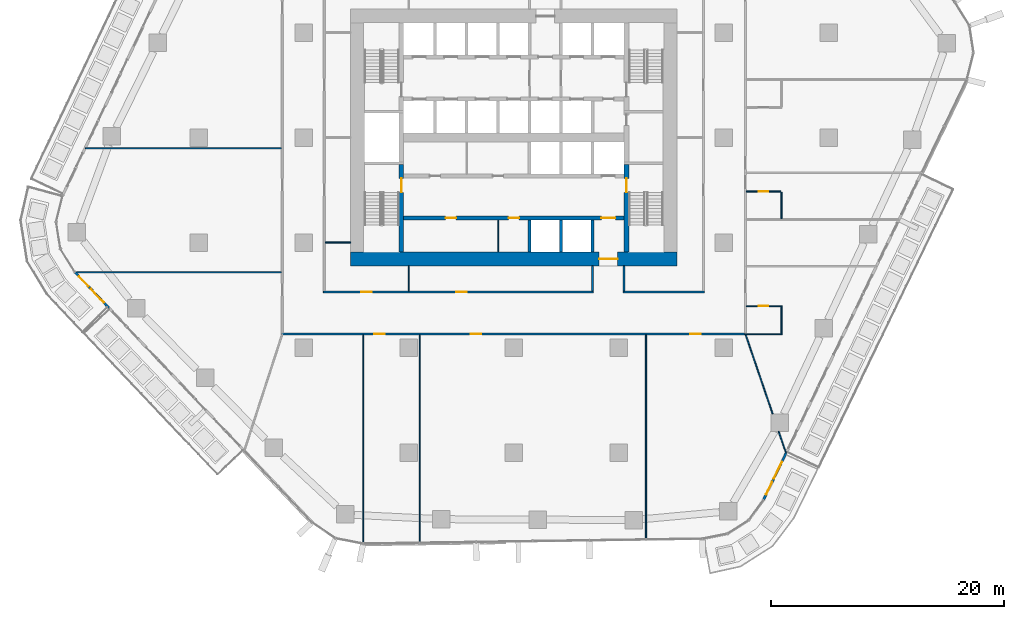
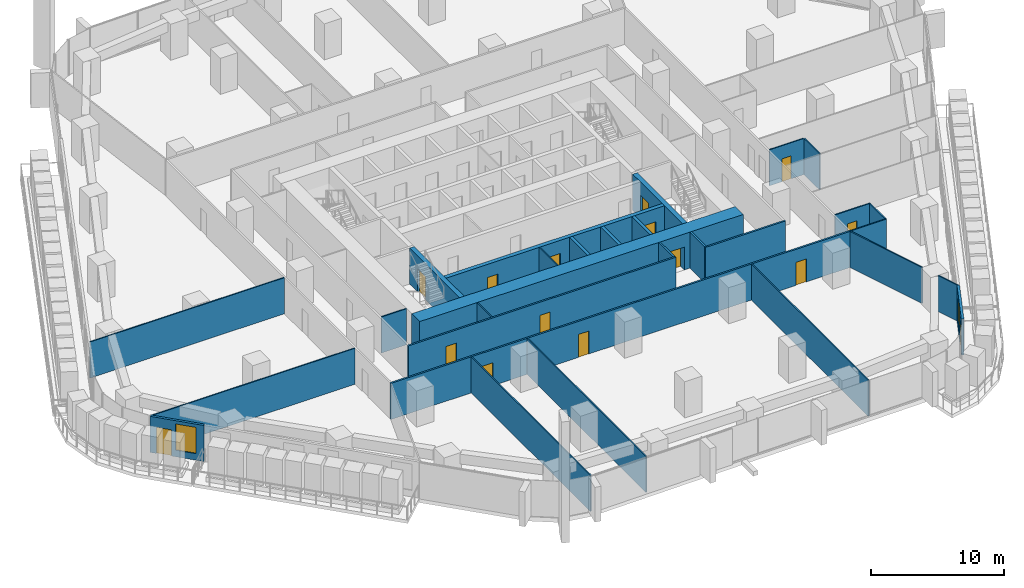
# One storey, part 12 of 24: 29 walls, 15 doors, 2 windows, 17 openings.
"""IFC4 building model written with IfcOpenShell, lengths in metres."""

from ifc_helpers import new_model, si_unit, direction, frame, frame_2d, origin, place, context, subcontext, project, spatial, rectangle, extrude, material, layer, layer_set, type_object, element, fill, save


model = new_model("IFC4")

# Units and contexts
model_context = context("Model", 3, precision=1e-05, world=origin(), true_north=direction((0.0, 1.0)))
body_context = subcontext(model_context, "Body", "Model", "MODEL_VIEW")
ifc_project = project(units=[si_unit("LENGTHUNIT", "METRE"), si_unit("AREAUNIT", "SQUARE_METRE"), si_unit("VOLUMEUNIT", "CUBIC_METRE"), si_unit("PLANEANGLEUNIT", "RADIAN"), si_unit("MASSUNIT", "GRAM", prefix="KILO")], contexts=[model_context])

# Site, building, storey
site_placement = place(None, origin())
site = spatial("IfcSite", under=ifc_project, at=site_placement, CompositionType="ELEMENT")
building_placement = place(site_placement, origin())
building = spatial("IfcBuilding", under=site, at=building_placement, Name="Dongbaek Canopy Tower", CompositionType="ELEMENT")
storey_placement = place(building_placement, frame((0.0, 0.0, 44.0)))
storey = spatial("IfcBuildingStorey", under=building, at=storey_placement, Name="L06", CompositionType="ELEMENT", Elevation=44.0)

# Wall, openings, doors
ifc_material_1 = material(Name="Concrete C60/75", Category="concrete")
ifc_layer_1 = layer(ifc_material_1, 0.35009765625)
ifc_layer_set_1 = layer_set([ifc_layer_1], Name="Core lobby wall 350 Concrete C60/75")
wall_type_1 = type_object("IfcWallType", Name="Core lobby wall 350 Concrete C60/75", PredefinedType="SHEAR", material=ifc_layer_set_1)
wall_1_placement = place(storey_placement, frame((9.449951171875, -6.89990234375, 0.0), z_axis=(0.0, 0.0, 1.0), x_axis=(-1.0, 0.0, 0.0)))
wall_1 = element("IfcWall", 1, at=wall_1_placement, inside=storey, type_object=wall_type_1, Name="Core wall", PredefinedType="SHEAR", context=body_context, shape_type="SweptSolid", body=[
    extrude(rectangle(XDim=18.89990234375, YDim=0.35009765625, at=frame_2d((9.449951171875, 0.0))), origin(), (0.0, 0.0, 1.0), 3.300048828125),
])
opening_1_placement = place(wall_1_placement, frame((0.75, 0.0, 0.0)))
opening_1 = element("IfcOpeningElement", 2, at=opening_1_placement, cuts=wall_1, Name="Opening L06-D045", PredefinedType="OPENING", context=body_context, shape_type="SweptSolid", body=[
    extrude(rectangle(XDim=1.199951171875, YDim=2.10009765625, at=frame_2d((0.60009765625, 1.050048828125))), frame((0.0, 0.18505859375, 0.0), z_axis=(0.0, -1.0, 0.0), x_axis=(1.0, 0.0, 0.0)), (0.0, 0.0, 1.0), 0.3701171875),
])
opening_2_placement = place(wall_1_placement, frame((14.39990234375, 0.0, 0.0)))
opening_2 = element("IfcOpeningElement", 3, at=opening_2_placement, cuts=wall_1, Name="Opening L06-D048", PredefinedType="OPENING", context=body_context, shape_type="SweptSolid", body=[
    extrude(rectangle(XDim=0.89990234375, YDim=2.10009765625, at=frame_2d((0.449951171875, 1.050048828125))), frame((0.0, 0.18505859375, 0.0), z_axis=(0.0, -1.0, 0.0), x_axis=(1.0, 0.0, 0.0)), (0.0, 0.0, 1.0), 0.3701171875),
])
opening_3_placement = place(wall_1_placement, frame((9.0, 0.0, 0.0)))
opening_3 = element("IfcOpeningElement", 4, at=opening_3_placement, cuts=wall_1, Name="Opening L06-D049", PredefinedType="OPENING", context=body_context, shape_type="SweptSolid", body=[
    extrude(rectangle(XDim=0.89990234375, YDim=2.10009765625, at=frame_2d((0.449951171875, 1.050048828125))), frame((0.0, 0.18505859375, 0.0), z_axis=(0.0, -1.0, 0.0), x_axis=(1.0, 0.0, 0.0)), (0.0, 0.0, 1.0), 0.3701171875),
])
ifc_material_2 = material(Name="Steel", Category="steel")
door_type_1 = type_object("IfcDoorType", Name="Core room door 900 x 2100", OperationType="SINGLE_SWING_LEFT", PredefinedType="DOOR", material=ifc_material_2)
door_1_placement = place(opening_2_placement, origin())
door_1 = element("IfcDoor", 5, at=door_1_placement, inside=storey, type_object=door_type_1, Name="Door L06-D048", OperationType="SINGLE_SWING_RIGHT", OverallHeight=2.10009765625, OverallWidth=0.89990234375, PredefinedType="DOOR", context=body_context, shape_type="SweptSolid", body=[
    extrude(rectangle(XDim=0.89990234375, YDim=2.10009765625, at=frame_2d((0.449951171875, 1.050048828125))), frame((0.0, 0.02490234375, 0.0), z_axis=(0.0, -1.0, 0.0), x_axis=(1.0, 0.0, 0.0)), (0.0, 0.0, 1.0), 0.050048828125),
])
fill(opening_2, door_1)
door_2_placement = place(opening_3_placement, origin())
door_2 = element("IfcDoor", 6, at=door_2_placement, inside=storey, type_object=door_type_1, Name="Door L06-D049", OperationType="SINGLE_SWING_LEFT", OverallHeight=2.10009765625, OverallWidth=0.89990234375, PredefinedType="DOOR", context=body_context, shape_type="SweptSolid", body=[
    extrude(rectangle(XDim=0.89990234375, YDim=2.10009765625, at=frame_2d((0.449951171875, 1.050048828125))), frame((0.0, 0.02490234375, 0.0), z_axis=(0.0, -1.0, 0.0), x_axis=(1.0, 0.0, 0.0)), (0.0, 0.0, 1.0), 0.050048828125),
])
fill(opening_3, door_2)
ifc_material_3 = material(Name="Steel", Category="steel")
door_type_2 = type_object("IfcDoorType", Name="Fire lobby door 1200 x 2100", OperationType="SINGLE_SWING_LEFT", PredefinedType="DOOR", material=ifc_material_3)
door_3_placement = place(opening_1_placement, origin())
door_3 = element("IfcDoor", 7, at=door_3_placement, inside=storey, type_object=door_type_2, Name="Door L06-D045", OperationType="SINGLE_SWING_LEFT", OverallHeight=2.10009765625, OverallWidth=1.199951171875, PredefinedType="DOOR", context=body_context, shape_type="SweptSolid", body=[
    extrude(rectangle(XDim=1.199951171875, YDim=2.10009765625, at=frame_2d((0.60009765625, 1.050048828125))), frame((0.0, 0.02490234375, 0.0), z_axis=(0.0, -1.0, 0.0), x_axis=(1.0, 0.0, 0.0)), (0.0, 0.0, 1.0), 0.050048828125),
])
fill(opening_1, door_3)

# Wall, opening, door
ifc_material_4 = material(Name="Concrete C60/75", Category="concrete")
ifc_layer_2 = layer(ifc_material_4, 1.199951171875)
ifc_layer_set_2 = layer_set([ifc_layer_2], Name="Core outer wall 1200 Concrete C60/75")
wall_type_2 = type_object("IfcWallType", Name="Core outer wall 1200 Concrete C60/75", PredefinedType="SHEAR", material=ifc_layer_set_2)
wall_2_placement = place(storey_placement, frame((14.0, -10.39990234375, 0.0), z_axis=(0.0, 0.0, 1.0), x_axis=(-1.0, 0.0, 0.0)))
wall_2 = element("IfcWall", 8, at=wall_2_placement, inside=storey, type_object=wall_type_2, Name="Core wall", PredefinedType="SHEAR", context=body_context, shape_type="SweptSolid", body=[
    extrude(rectangle(XDim=28.0, YDim=1.199951171875, at=frame_2d((14.0, 0.0))), origin(), (0.0, 0.0, 1.0), 3.300048828125),
])
opening_4_placement = place(wall_2_placement, frame((5.10009765625, 0.0, 0.0)))
opening_4 = element("IfcOpeningElement", 9, at=opening_4_placement, cuts=wall_2, Name="Opening L06-D044", PredefinedType="OPENING", context=body_context, shape_type="SweptSolid", body=[
    extrude(rectangle(XDim=1.60009765625, YDim=2.10009765625, at=frame_2d((0.800048828125, 1.050048828125))), frame((0.0, 0.60986328125, 0.0), z_axis=(0.0, -1.0, 0.0), x_axis=(1.0, 0.0, 0.0)), (0.0, 0.0, 1.0), 1.219970703125),
])
ifc_material_5 = material(Name="Steel", Category="steel")
door_type_3 = type_object("IfcDoorType", Name="Core exit door 1600 x 2100", OperationType="DOUBLE_DOOR_SINGLE_SWING", PredefinedType="DOOR", material=ifc_material_5)
door_4_placement = place(opening_4_placement, origin())
door_4 = element("IfcDoor", 10, at=door_4_placement, inside=storey, type_object=door_type_3, Name="Core exit door", OperationType="DOUBLE_DOOR_SINGLE_SWING", OverallHeight=2.10009765625, OverallWidth=1.60009765625, PredefinedType="DOOR", context=body_context, shape_type="SweptSolid", body=[
    extrude(rectangle(XDim=1.60009765625, YDim=2.10009765625, at=frame_2d((0.800048828125, 1.050048828125))), frame((0.0, 0.02490234375, 0.0), z_axis=(0.0, -1.0, 0.0), x_axis=(1.0, 0.0, 0.0)), (0.0, 0.0, 1.0), 0.050048828125),
])
fill(opening_4, door_4)

# Wall, openings, doors
ifc_material_6 = material(Name="Gypsum board partition, steel stud, 2 x 15 mm fire board", Category="steel")
ifc_layer_3 = layer(ifc_material_6, 0.14990234375)
ifc_layer_set_3 = layer_set([ifc_layer_3], Name="Fire-rated partition 150 gypsum board")
wall_type_3 = type_object("IfcWallType", Name="Fire-rated partition 150 gypsum board", PredefinedType="PARTITIONING", material=ifc_layer_set_3)
wall_3_placement = place(storey_placement, frame((19.925048828125, -16.85009765625, 0.0), z_axis=(0.0, 0.0, 1.0), x_axis=(-1.0, 0.0, 0.0)))
wall_3 = element("IfcWall", 11, at=wall_3_placement, inside=storey, type_object=wall_type_3, Name="Corridor partition", PredefinedType="PARTITIONING", context=body_context, shape_type="SweptSolid", body=[
    extrude(rectangle(XDim=39.85009765625, YDim=0.14990234375, at=frame_2d((19.925048828125, 0.0))), origin(), (0.0, 0.0, 1.0), 3.300048828125),
])
opening_5_placement = place(wall_3_placement, frame((31.00830078125, 0.0, 0.0)))
opening_5 = element("IfcOpeningElement", 12, at=opening_5_placement, cuts=wall_3, Name="Opening L06-D003", PredefinedType="OPENING", context=body_context, shape_type="SweptSolid", body=[
    extrude(rectangle(XDim=0.89990234375, YDim=2.10009765625, at=frame_2d((0.449951171875, 1.050048828125))), frame((0.0, 0.0849609375, 0.0), z_axis=(0.0, -1.0, 0.0), x_axis=(1.0, 0.0, 0.0)), (0.0, 0.0, 1.0), 0.169921875),
])
opening_6_placement = place(wall_3_placement, frame((22.7041015625, 0.0, 0.0)))
opening_6 = element("IfcOpeningElement", 13, at=opening_6_placement, cuts=wall_3, Name="Opening L06-D004", PredefinedType="OPENING", context=body_context, shape_type="SweptSolid", body=[
    extrude(rectangle(XDim=0.89990234375, YDim=2.10009765625, at=frame_2d((0.449951171875, 1.050048828125))), frame((0.0, 0.0849609375, 0.0), z_axis=(0.0, -1.0, 0.0), x_axis=(1.0, 0.0, 0.0)), (0.0, 0.0, 1.0), 0.169921875),
])
opening_7_placement = place(wall_3_placement, frame((3.8876953125, 0.0, 0.0)))
opening_7 = element("IfcOpeningElement", 14, at=opening_7_placement, cuts=wall_3, Name="Opening L06-D005", PredefinedType="OPENING", context=body_context, shape_type="SweptSolid", body=[
    extrude(rectangle(XDim=0.89990234375, YDim=2.10009765625, at=frame_2d((0.449951171875, 1.050048828125))), frame((0.0, 0.0849609375, 0.0), z_axis=(0.0, -1.0, 0.0), x_axis=(1.0, 0.0, 0.0)), (0.0, 0.0, 1.0), 0.169921875),
])
ifc_material_7 = material(Name="Timber veneered door leaf", Category="wood")
door_type_4 = type_object("IfcDoorType", Name="Room door 900 x 2100", OperationType="SINGLE_SWING_LEFT", PredefinedType="DOOR", material=ifc_material_7)
door_5_placement = place(opening_5_placement, origin())
door_5 = element("IfcDoor", 15, at=door_5_placement, inside=storey, type_object=door_type_4, Name="Door L06-D003", OperationType="SINGLE_SWING_LEFT", OverallHeight=2.10009765625, OverallWidth=0.89990234375, PredefinedType="DOOR", context=body_context, shape_type="SweptSolid", body=[
    extrude(rectangle(XDim=0.89990234375, YDim=2.10009765625, at=frame_2d((0.449951171875, 1.050048828125))), frame((0.0, 0.02490234375, 0.0), z_axis=(0.0, -1.0, 0.0), x_axis=(1.0, 0.0, 0.0)), (0.0, 0.0, 1.0), 0.050048828125),
])
fill(opening_5, door_5)
door_6_placement = place(opening_6_placement, origin())
door_6 = element("IfcDoor", 16, at=door_6_placement, inside=storey, type_object=door_type_4, Name="Door L06-D004", OperationType="SINGLE_SWING_RIGHT", OverallHeight=2.10009765625, OverallWidth=0.89990234375, PredefinedType="DOOR", context=body_context, shape_type="SweptSolid", body=[
    extrude(rectangle(XDim=0.89990234375, YDim=2.10009765625, at=frame_2d((0.449951171875, 1.050048828125))), frame((0.0, 0.02490234375, 0.0), z_axis=(0.0, -1.0, 0.0), x_axis=(1.0, 0.0, 0.0)), (0.0, 0.0, 1.0), 0.050048828125),
])
fill(opening_6, door_6)
door_7_placement = place(opening_7_placement, origin())
door_7 = element("IfcDoor", 17, at=door_7_placement, inside=storey, type_object=door_type_4, Name="Door L06-D005", OperationType="SINGLE_SWING_LEFT", OverallHeight=2.10009765625, OverallWidth=0.89990234375, PredefinedType="DOOR", context=body_context, shape_type="SweptSolid", body=[
    extrude(rectangle(XDim=0.89990234375, YDim=2.10009765625, at=frame_2d((0.449951171875, 1.050048828125))), frame((0.0, 0.02490234375, 0.0), z_axis=(0.0, -1.0, 0.0), x_axis=(1.0, 0.0, 0.0)), (0.0, 0.0, 1.0), 0.050048828125),
])
fill(opening_7, door_7)

wall_4_placement = place(storey_placement, frame((-16.324951171875, -13.25, 0.0), z_axis=(0.0, 0.0, 1.0), x_axis=(1.0, 0.0, 0.0)))
wall_4 = element("IfcWall", 18, at=wall_4_placement, inside=storey, type_object=wall_type_3, Name="Corridor partition", PredefinedType="PARTITIONING", context=body_context, shape_type="SweptSolid", body=[
    extrude(rectangle(XDim=23.14990234375, YDim=0.14990234375, at=frame_2d((11.574951171875, 0.0))), origin(), (0.0, 0.0, 1.0), 3.300048828125),
])
opening_8_placement = place(wall_4_placement, frame((3.25, 0.0, 0.0)))
opening_8 = element("IfcOpeningElement", 19, at=opening_8_placement, cuts=wall_4, Name="Opening L06-D019", PredefinedType="OPENING", context=body_context, shape_type="SweptSolid", body=[
    extrude(rectangle(XDim=0.89990234375, YDim=2.10009765625, at=frame_2d((0.449951171875, 1.050048828125))), frame((0.0, 0.0849609375, 0.0), z_axis=(0.0, -1.0, 0.0), x_axis=(1.0, 0.0, 0.0)), (0.0, 0.0, 1.0), 0.169921875),
])
opening_9_placement = place(wall_4_placement, frame((11.375, 0.0, 0.0)))
opening_9 = element("IfcOpeningElement", 20, at=opening_9_placement, cuts=wall_4, Name="Opening L06-D020", PredefinedType="OPENING", context=body_context, shape_type="SweptSolid", body=[
    extrude(rectangle(XDim=0.89990234375, YDim=2.10009765625, at=frame_2d((0.449951171875, 1.050048828125))), frame((0.0, 0.0849609375, 0.0), z_axis=(0.0, -1.0, 0.0), x_axis=(1.0, 0.0, 0.0)), (0.0, 0.0, 1.0), 0.169921875),
])
door_8_placement = place(opening_8_placement, origin())
door_8 = element("IfcDoor", 21, at=door_8_placement, inside=storey, type_object=door_type_4, Name="Door L06-D019", OperationType="SINGLE_SWING_LEFT", OverallHeight=2.10009765625, OverallWidth=0.89990234375, PredefinedType="DOOR", context=body_context, shape_type="SweptSolid", body=[
    extrude(rectangle(XDim=0.89990234375, YDim=2.10009765625, at=frame_2d((0.449951171875, 1.050048828125))), frame((0.0, 0.02490234375, 0.0), z_axis=(0.0, -1.0, 0.0), x_axis=(1.0, 0.0, 0.0)), (0.0, 0.0, 1.0), 0.050048828125),
])
fill(opening_8, door_8)
door_9_placement = place(opening_9_placement, origin())
door_9 = element("IfcDoor", 22, at=door_9_placement, inside=storey, type_object=door_type_4, Name="Door L06-D020", OperationType="SINGLE_SWING_RIGHT", OverallHeight=2.10009765625, OverallWidth=0.89990234375, PredefinedType="DOOR", context=body_context, shape_type="SweptSolid", body=[
    extrude(rectangle(XDim=0.89990234375, YDim=2.10009765625, at=frame_2d((0.449951171875, 1.050048828125))), frame((0.0, 0.02490234375, 0.0), z_axis=(0.0, -1.0, 0.0), x_axis=(1.0, 0.0, 0.0)), (0.0, 0.0, 1.0), 0.050048828125),
])
fill(opening_9, door_9)

# Walls
wall_5_placement = place(storey_placement, frame((9.375, -13.25, 0.0), z_axis=(0.0, 0.0, 1.0), x_axis=(1.0, 0.0, 0.0)))
element("IfcWall", 23, at=wall_5_placement, inside=storey, type_object=wall_type_3, Name="Corridor partition", PredefinedType="PARTITIONING", context=body_context, shape_type="SweptSolid", body=[
    extrude(rectangle(XDim=6.949951171875, YDim=0.14990234375, at=frame_2d((3.47509765625, 0.0))), origin(), (0.0, 0.0, 1.0), 3.300048828125),
])
for number, where, z_axis, x_axis, name in (
    (24, (9.449951171875, -13.175048828125, 0.0), (0.0, 0.0, 1.0), (0.0, 1.0, 0.0), "Corridor partition"),
    (25, (6.75, -13.175048828125, 0.0), (0.0, 0.0, 1.0), (0.0, 1.0, 0.0), "Corridor partition"),
):
    element("IfcWall", number, at=place(storey_placement, frame(where, z_axis=z_axis, x_axis=x_axis)), inside=storey, type_object=wall_type_3, Name=name, PredefinedType="PARTITIONING", context=body_context, shape_type="SweptSolid", body=[
        extrude(rectangle(XDim=2.175048828125, YDim=0.14990234375, at=frame_2d((1.08740234375, 0.0))), origin(), (0.0, 0.0, 1.0), 3.300048828125),
    ])
ifc_material_8 = material(Name="Concrete C40/50", Category="concrete")
ifc_layer_4 = layer(ifc_material_8, 0.25)
ifc_layer_set_4 = layer_set([ifc_layer_4], Name="Lift shaft wall 250 Concrete C40/50")
wall_type_4 = type_object("IfcWallType", Name="Lift shaft wall 250 Concrete C40/50", PredefinedType="SOLIDWALL", material=ifc_layer_set_4)
for number, where, z_axis, x_axis, name in (
    (26, (6.75, -9.800048828125, 0.0), (0.0, 0.0, 1.0), (0.0, 1.0, 0.0), "Lift shaft wall"),
    (27, (4.050048828125, -9.800048828125, 0.0), (0.0, 0.0, 1.0), (0.0, 1.0, 0.0), "Lift shaft wall"),
    (28, (1.35009765625, -9.800048828125, 0.0), (0.0, 0.0, 1.0), (0.0, 1.0, 0.0), "Lift shaft wall"),
):
    element("IfcWall", number, at=place(storey_placement, frame(where, z_axis=z_axis, x_axis=x_axis)), inside=storey, type_object=wall_type_4, Name=name, PredefinedType="SOLIDWALL", context=body_context, shape_type="SweptSolid", body=[
        extrude(rectangle(XDim=2.72509765625, YDim=0.25, at=frame_2d((1.362548828125, 0.0))), origin(), (0.0, 0.0, 1.0), 3.300048828125),
    ])
ifc_material_9 = material(Name="Gypsum board partition, steel stud, 2 x 12.5 mm board", Category="steel")
ifc_layer_5 = layer(ifc_material_9, 0.10009765625)
ifc_layer_set_5 = layer_set([ifc_layer_5], Name="Partition 100 gypsum board")
wall_type_5 = type_object("IfcWallType", Name="Partition 100 gypsum board", PredefinedType="PARTITIONING", material=ifc_layer_set_5)
wall_6_placement = place(storey_placement, frame((19.77490234375, -16.85009765625, 0.0), z_axis=(0.0, 0.0, 1.0), x_axis=(1.0, 0.0, 0.0)))
element("IfcWall", 29, at=wall_6_placement, inside=storey, type_object=wall_type_5, Name="Partition", PredefinedType="PARTITIONING", context=body_context, shape_type="SweptSolid", body=[
    extrude(rectangle(XDim=3.22509765625, YDim=0.10009765625, at=frame_2d((1.612548828125, 0.0))), origin(), (0.0, 0.0, 1.0), 3.300048828125),
])

# Wall, opening, door
wall_7_placement = place(storey_placement, frame((23.0, -14.449951171875, 0.0), z_axis=(0.0, 0.0, 1.0), x_axis=(-1.0, 0.0, 0.0)))
wall_7 = element("IfcWall", 30, at=wall_7_placement, inside=storey, type_object=wall_type_5, Name="Partition", PredefinedType="PARTITIONING", context=body_context, shape_type="SweptSolid", body=[
    extrude(rectangle(XDim=3.074951171875, YDim=0.10009765625, at=frame_2d((1.53759765625, 0.0))), origin(), (0.0, 0.0, 1.0), 3.300048828125),
])
opening_10_placement = place(wall_7_placement, frame((1.199951171875, 0.0, 0.0)))
opening_10 = element("IfcOpeningElement", 31, at=opening_10_placement, cuts=wall_7, Name="Opening L06-D006", PredefinedType="OPENING", context=body_context, shape_type="SweptSolid", body=[
    extrude(rectangle(XDim=0.800048828125, YDim=2.10009765625, at=frame_2d((0.39990234375, 1.050048828125))), frame((0.0, 0.06005859375, 0.0), z_axis=(0.0, -1.0, 0.0), x_axis=(1.0, 0.0, 0.0)), (0.0, 0.0, 1.0), 0.1201171875),
])
ifc_material_10 = material(Name="Timber veneered door leaf", Category="wood")
door_type_5 = type_object("IfcDoorType", Name="En-suite door 800 x 2100", OperationType="SINGLE_SWING_LEFT", PredefinedType="DOOR", material=ifc_material_10)
door_10_placement = place(opening_10_placement, origin())
door_10 = element("IfcDoor", 32, at=door_10_placement, inside=storey, type_object=door_type_5, Name="Door L06-D006", OperationType="SINGLE_SWING_LEFT", OverallHeight=2.10009765625, OverallWidth=0.800048828125, PredefinedType="DOOR", context=body_context, shape_type="SweptSolid", body=[
    extrude(rectangle(XDim=0.800048828125, YDim=2.10009765625, at=frame_2d((0.39990234375, 1.050048828125))), frame((0.0, 0.02490234375, 0.0), z_axis=(0.0, -1.0, 0.0), x_axis=(1.0, 0.0, 0.0)), (0.0, 0.0, 1.0), 0.050048828125),
])
fill(opening_10, door_10)

# Walls
wall_8_placement = place(storey_placement, frame((-37.593505859375, -11.54296875, 0.0), z_axis=(0.0, 0.0, 1.0), x_axis=(1.0, 0.0, 0.0)))
element("IfcWall", 33, at=wall_8_placement, inside=storey, type_object=wall_type_5, Name="Partition", PredefinedType="PARTITIONING", context=body_context, shape_type="SweptSolid", body=[
    extrude(rectangle(XDim=17.66845703125, YDim=0.10009765625, at=frame_2d((8.834228515625, 0.0))), origin(), (0.0, 0.0, 1.0), 3.300048828125),
])
wall_9_placement = place(storey_placement, frame((-16.175048828125, -9.0, 0.0), z_axis=(0.0, 0.0, 1.0), x_axis=(1.0, 0.0, 0.0)))
element("IfcWall", 34, at=wall_9_placement, inside=storey, type_object=wall_type_5, Name="Partition", PredefinedType="PARTITIONING", context=body_context, shape_type="SweptSolid", body=[
    extrude(rectangle(XDim=2.175048828125, YDim=0.10009765625, at=frame_2d((1.08740234375, 0.0))), origin(), (0.0, 0.0, 1.0), 3.300048828125),
])

# Wall, opening, door
wall_10_placement = place(storey_placement, frame((22.89990234375, -4.6279296875, 0.0), z_axis=(0.0, 0.0, 1.0), x_axis=(-1.0, 0.0, 0.0)))
wall_10 = element("IfcWall", 35, at=wall_10_placement, inside=storey, type_object=wall_type_5, Name="Partition", PredefinedType="PARTITIONING", context=body_context, shape_type="SweptSolid", body=[
    extrude(rectangle(XDim=2.974853515625, YDim=0.10009765625, at=frame_2d((1.4873046875, 0.0))), origin(), (0.0, 0.0, 1.0), 3.300048828125),
])
opening_11_placement = place(wall_10_placement, frame((1.10009765625, 0.0, 0.0)))
opening_11 = element("IfcOpeningElement", 36, at=opening_11_placement, cuts=wall_10, Name="Opening L06-D008", PredefinedType="OPENING", context=body_context, shape_type="SweptSolid", body=[
    extrude(rectangle(XDim=0.800048828125, YDim=2.10009765625, at=frame_2d((0.39990234375, 1.050048828125))), frame((0.0, 0.06005859375, 0.0), z_axis=(0.0, -1.0, 0.0), x_axis=(1.0, 0.0, 0.0)), (0.0, 0.0, 1.0), 0.1201171875),
])
door_11_placement = place(opening_11_placement, origin())
door_11 = element("IfcDoor", 37, at=door_11_placement, inside=storey, type_object=door_type_5, Name="Door L06-D008", OperationType="SINGLE_SWING_LEFT", OverallHeight=2.10009765625, OverallWidth=0.800048828125, PredefinedType="DOOR", context=body_context, shape_type="SweptSolid", body=[
    extrude(rectangle(XDim=0.800048828125, YDim=2.10009765625, at=frame_2d((0.39990234375, 1.050048828125))), frame((0.0, 0.02490234375, 0.0), z_axis=(0.0, -1.0, 0.0), x_axis=(1.0, 0.0, 0.0)), (0.0, 0.0, 1.0), 0.050048828125),
])
fill(opening_11, door_11)

# Walls
wall_11_placement = place(storey_placement, frame((-36.73681640625, -0.9169921875, 0.0), z_axis=(0.0, 0.0, 1.0), x_axis=(1.0, 0.0, 0.0)))
element("IfcWall", 38, at=wall_11_placement, inside=storey, type_object=wall_type_5, Name="Partition", PredefinedType="PARTITIONING", context=body_context, shape_type="SweptSolid", body=[
    extrude(rectangle(XDim=16.811767578125, YDim=0.10009765625, at=frame_2d((8.40576171875, 0.0))), origin(), (0.0, 0.0, 1.0), 3.300048828125),
])
for number, where, z_axis, x_axis, name in (
    (39, (22.949951171875, -16.800048828125, 0.0), (0.0, 0.0, 1.0), (0.0, 1.0, 0.0), "Partition"),
    (40, (22.949951171875, -6.977783203125, 0.0), (0.0, 0.0, 1.0), (0.0, 1.0, 0.0), "Partition"),
):
    element("IfcWall", number, at=place(storey_placement, frame(where, z_axis=z_axis, x_axis=x_axis)), inside=storey, type_object=wall_type_5, Name=name, PredefinedType="PARTITIONING", context=body_context, shape_type="SweptSolid", body=[
        extrude(rectangle(XDim=2.300048828125, YDim=0.10009765625, at=frame_2d((1.14990234375, 0.0))), origin(), (0.0, 0.0, 1.0), 3.300048828125),
    ])
wall_12_placement = place(storey_placement, frame((11.324951171875, -34.438232421875, 0.0), z_axis=(0.0, 0.0, 1.0), x_axis=(0.0, 1.0, 0.0)))
element("IfcWall", 41, at=wall_12_placement, inside=storey, type_object=wall_type_5, Name="Partition", PredefinedType="PARTITIONING", context=body_context, shape_type="SweptSolid", body=[
    extrude(rectangle(XDim=17.51318359375, YDim=0.10009765625, at=frame_2d((8.756591796875, 0.0))), origin(), (0.0, 0.0, 1.0), 3.300048828125),
])
wall_13_placement = place(storey_placement, frame((-8.0810546875, -34.721923828125, 0.0), z_axis=(0.0, 0.0, 1.0), x_axis=(0.0, 1.0, 0.0)))
element("IfcWall", 42, at=wall_13_placement, inside=storey, type_object=wall_type_5, Name="Partition", PredefinedType="PARTITIONING", context=body_context, shape_type="SweptSolid", body=[
    extrude(rectangle(XDim=17.796875, YDim=0.10009765625, at=frame_2d((8.8984375, 0.0))), origin(), (0.0, 0.0, 1.0), 3.300048828125),
])
wall_14_placement = place(storey_placement, frame((-9.0, -13.175048828125, 0.0), z_axis=(0.0, 0.0, 1.0), x_axis=(0.0, 1.0, 0.0)))
element("IfcWall", 43, at=wall_14_placement, inside=storey, type_object=wall_type_5, Name="Partition", PredefinedType="PARTITIONING", context=body_context, shape_type="SweptSolid", body=[
    extrude(rectangle(XDim=2.175048828125, YDim=0.10009765625, at=frame_2d((1.08740234375, 0.0))), origin(), (0.0, 0.0, 1.0), 3.300048828125),
])
wall_15_placement = place(storey_placement, frame((-12.9208984375, -34.79248046875, 0.0), z_axis=(0.0, 0.0, 1.0), x_axis=(0.0, 1.0, 0.0)))
element("IfcWall", 44, at=wall_15_placement, inside=storey, type_object=wall_type_5, Name="Partition", PredefinedType="PARTITIONING", context=body_context, shape_type="SweptSolid", body=[
    extrude(rectangle(XDim=17.867431640625, YDim=0.10009765625, at=frame_2d((8.93359375, 0.0))), origin(), (0.0, 0.0, 1.0), 3.300048828125),
])
wall_16_placement = place(storey_placement, frame((19.849609375, -16.85009765625, 0.0), z_axis=(0.0, 0.0, 1.0), x_axis=(0.323389409091, -0.94626597217, 0.0)))
element("IfcWall", 45, at=wall_16_placement, inside=storey, type_object=wall_type_5, Name="Partition", PredefinedType="PARTITIONING", context=body_context, shape_type="SweptSolid", body=[
    extrude(rectangle(XDim=7.231689453125, YDim=0.10009765625, at=frame_2d((3.61572265625, 0.0))), origin(), (0.0, 0.0, 1.0), 3.300048828125),
])
wall_17_placement = place(storey_placement, frame((22.700927734375, -25.193115234375, 0.0), z_axis=(0.0, 0.0, 1.0), x_axis=(0.323521274284, -0.94622089656, 0.0)))
element("IfcWall", 46, at=wall_17_placement, inside=storey, type_object=wall_type_5, Name="Partition", PredefinedType="PARTITIONING", context=body_context, shape_type="SweptSolid", body=[
    extrude(rectangle(XDim=1.935546875, YDim=0.10009765625, at=frame_2d((0.9677734375, 0.0))), origin(), (0.0, 0.0, 1.0), 3.300048828125),
])
wall_18_placement = place(storey_placement, frame((-1.35009765625, -9.800048828125, 0.0), z_axis=(0.0, 0.0, 1.0), x_axis=(0.0, 1.0, 0.0)))
element("IfcWall", 47, at=wall_18_placement, inside=storey, type_object=wall_type_5, Name="Core partition", PredefinedType="PARTITIONING", context=body_context, shape_type="SweptSolid", body=[
    extrude(rectangle(XDim=2.72509765625, YDim=0.10009765625, at=frame_2d((1.362548828125, 0.0))), origin(), (0.0, 0.0, 1.0), 3.300048828125),
])

# Wall, opening, door
ifc_material_11 = material(Name="Concrete C60/75", Category="concrete")
ifc_layer_6 = layer(ifc_material_11, 0.39990234375)
ifc_layer_set_6 = layer_set([ifc_layer_6], Name="Stair wall 400 Concrete C60/75")
wall_type_6 = type_object("IfcWallType", Name="Stair wall 400 Concrete C60/75", PredefinedType="SHEAR", material=ifc_layer_set_6)
wall_19_placement = place(storey_placement, frame((9.64990234375, -2.300048828125, 0.0), z_axis=(0.0, 0.0, 1.0), x_axis=(0.0, -1.0, 0.0)))
wall_19 = element("IfcWall", 48, at=wall_19_placement, inside=storey, type_object=wall_type_6, Name="Stair wall", PredefinedType="SHEAR", context=body_context, shape_type="SweptSolid", body=[
    extrude(rectangle(XDim=7.5, YDim=0.39990234375, at=frame_2d((3.75, 0.0))), origin(), (0.0, 0.0, 1.0), 3.300048828125),
])
opening_12_placement = place(wall_19_placement, frame((1.199951171875, 0.0, 0.0)))
opening_12 = element("IfcOpeningElement", 49, at=opening_12_placement, cuts=wall_19, Name="Opening L06-D052", PredefinedType="OPENING", context=body_context, shape_type="SweptSolid", body=[
    extrude(rectangle(XDim=1.199951171875, YDim=2.10009765625, at=frame_2d((0.60009765625, 1.050048828125))), frame((0.0, 0.2099609375, 0.0), z_axis=(0.0, -1.0, 0.0), x_axis=(1.0, 0.0, 0.0)), (0.0, 0.0, 1.0), 0.419921875),
])
ifc_material_12 = material(Name="Steel", Category="steel")
door_type_6 = type_object("IfcDoorType", Name="Stair door 1200 x 2100", OperationType="SINGLE_SWING_LEFT", PredefinedType="DOOR", material=ifc_material_12)
door_12_placement = place(opening_12_placement, origin())
door_12 = element("IfcDoor", 50, at=door_12_placement, inside=storey, type_object=door_type_6, Name="Stair B door", OperationType="SINGLE_SWING_RIGHT", OverallHeight=2.10009765625, OverallWidth=1.199951171875, PredefinedType="DOOR", context=body_context, shape_type="SweptSolid", body=[
    extrude(rectangle(XDim=1.199951171875, YDim=2.10009765625, at=frame_2d((0.60009765625, 1.050048828125))), frame((0.0, 0.02490234375, 0.0), z_axis=(0.0, -1.0, 0.0), x_axis=(1.0, 0.0, 0.0)), (0.0, 0.0, 1.0), 0.050048828125),
])
fill(opening_12, door_12)

wall_20_placement = place(storey_placement, frame((-9.64990234375, -9.800048828125, 0.0), z_axis=(0.0, 0.0, 1.0), x_axis=(0.0, 1.0, 0.0)))
wall_20 = element("IfcWall", 51, at=wall_20_placement, inside=storey, type_object=wall_type_6, Name="Stair wall", PredefinedType="SHEAR", context=body_context, shape_type="SweptSolid", body=[
    extrude(rectangle(XDim=7.5, YDim=0.39990234375, at=frame_2d((3.75, 0.0))), origin(), (0.0, 0.0, 1.0), 3.300048828125),
])
opening_13_placement = place(wall_20_placement, frame((5.10009765625, 0.0, 0.0)))
opening_13 = element("IfcOpeningElement", 52, at=opening_13_placement, cuts=wall_20, Name="Opening L06-D053", PredefinedType="OPENING", context=body_context, shape_type="SweptSolid", body=[
    extrude(rectangle(XDim=1.199951171875, YDim=2.10009765625, at=frame_2d((0.60009765625, 1.050048828125))), frame((0.0, 0.2099609375, 0.0), z_axis=(0.0, -1.0, 0.0), x_axis=(1.0, 0.0, 0.0)), (0.0, 0.0, 1.0), 0.419921875),
])
door_13_placement = place(opening_13_placement, origin())
door_13 = element("IfcDoor", 53, at=door_13_placement, inside=storey, type_object=door_type_6, Name="Stair D door", OperationType="SINGLE_SWING_LEFT", OverallHeight=2.10009765625, OverallWidth=1.199951171875, PredefinedType="DOOR", context=body_context, shape_type="SweptSolid", body=[
    extrude(rectangle(XDim=1.199951171875, YDim=2.10009765625, at=frame_2d((0.60009765625, 1.050048828125))), frame((0.0, 0.02490234375, 0.0), z_axis=(0.0, -1.0, 0.0), x_axis=(1.0, 0.0, 0.0)), (0.0, 0.0, 1.0), 0.050048828125),
])
fill(opening_13, door_13)

# Wall, openings, door, window
ifc_material_13 = material(Name="Aluminium window wall", Category="aluminium")
ifc_layer_7 = layer(ifc_material_13, 0.199951171875)
ifc_layer_set_7 = layer_set([ifc_layer_7], Name="Window wall 200")
wall_type_7 = type_object("IfcWallType", Name="Window wall 200", PredefinedType="SOLIDWALL", material=ifc_layer_set_7)
wall_21_placement = place(storey_placement, frame((-37.62109375, -11.54296875, 0.0), z_axis=(0.0, 0.0, 1.0), x_axis=(0.688100005166, -0.725615864553, 0.0)))
wall_21 = element("IfcWall", 54, at=wall_21_placement, inside=storey, type_object=wall_type_7, Name="Window wall L06 6", PredefinedType="SOLIDWALL", context=body_context, shape_type="SweptSolid", body=[
    extrude(rectangle(XDim=4.21044921875, YDim=0.199951171875, at=frame_2d((2.105224609375, 0.0))), origin(), (0.0, 0.0, 1.0), 3.300048828125),
])
opening_14_placement = place(wall_21_placement, frame((2.0, 0.0, 0.60009765625)))
opening_14 = element("IfcOpeningElement", 55, at=opening_14_placement, cuts=wall_21, Name="Opening W1", PredefinedType="OPENING", context=body_context, shape_type="SweptSolid", body=[
    extrude(rectangle(XDim=1.60009765625, YDim=2.39990234375, at=frame_2d((0.800048828125, 1.199951171875))), frame((0.0, 0.10986328125, 0.0), z_axis=(0.0, -1.0, 0.0), x_axis=(1.0, 0.0, 0.0)), (0.0, 0.0, 1.0), 0.219970703125),
])
opening_15_placement = place(wall_21_placement, frame((0.5, 0.0, 0.0)))
opening_15 = element("IfcOpeningElement", 56, at=opening_15_placement, cuts=wall_21, Name="Opening L06-B17", PredefinedType="OPENING", context=body_context, shape_type="SweptSolid", body=[
    extrude(rectangle(XDim=1.199951171875, YDim=2.39990234375, at=frame_2d((0.60009765625, 1.199951171875))), frame((0.0, 0.10986328125, 0.0), z_axis=(0.0, -1.0, 0.0), x_axis=(1.0, 0.0, 0.0)), (0.0, 0.0, 1.0), 0.219970703125),
])
ifc_material_14 = material(Name="Clear glazing in aluminium frame", Category="aluminium")
door_type_7 = type_object("IfcDoorType", Name="Balcony door BD1 1200 x 2400", OperationType="SLIDING_TO_LEFT", PredefinedType="DOOR", material=ifc_material_14)
door_14_placement = place(opening_15_placement, origin())
door_14 = element("IfcDoor", 57, at=door_14_placement, inside=storey, type_object=door_type_7, Name="Balcony door L06-B17", OperationType="SLIDING_TO_LEFT", OverallHeight=2.39990234375, OverallWidth=1.199951171875, PredefinedType="DOOR", context=body_context, shape_type="SweptSolid", body=[
    extrude(rectangle(XDim=1.199951171875, YDim=2.39990234375, at=frame_2d((0.60009765625, 1.199951171875))), frame((0.0, 0.02490234375, 0.0), z_axis=(0.0, -1.0, 0.0), x_axis=(1.0, 0.0, 0.0)), (0.0, 0.0, 1.0), 0.050048828125),
])
fill(opening_15, door_14)
ifc_material_15 = material(Name="Clear glazing in aluminium frame", Category="aluminium")
window_type = type_object("IfcWindowType", Name="Window W1 1600 x 2400", PartitioningType="SINGLE_PANEL", PredefinedType="WINDOW", material=ifc_material_15)
window_1_placement = place(opening_14_placement, origin())
window_1 = element("IfcWindow", 58, at=window_1_placement, inside=storey, type_object=window_type, Name="Window L06 6.1", OverallHeight=2.39990234375, OverallWidth=1.60009765625, PartitioningType="SINGLE_PANEL", PredefinedType="WINDOW", context=body_context, shape_type="SweptSolid", body=[
    extrude(rectangle(XDim=1.60009765625, YDim=2.39990234375, at=frame_2d((0.800048828125, 1.199951171875))), frame((0.0, 0.030029296875, 0.0), z_axis=(0.0, -1.0, 0.0), x_axis=(1.0, 0.0, 0.0)), (0.0, 0.0, 1.0), 0.06005859375),
])
fill(opening_14, window_1)

wall_22_placement = place(storey_placement, frame((21.40576171875, -31.047607421875, 0.0), z_axis=(0.0, 0.0, 1.0), x_axis=(0.435227364278, 0.900320577008, 0.0)))
wall_22 = element("IfcWall", 59, at=wall_22_placement, inside=storey, type_object=wall_type_7, Name="Window wall L06 7", PredefinedType="SOLIDWALL", context=body_context, shape_type="SweptSolid", body=[
    extrude(rectangle(XDim=4.438720703125, YDim=0.199951171875, at=frame_2d((2.21923828125, 0.0))), origin(), (0.0, 0.0, 1.0), 3.300048828125),
])
opening_16_placement = place(wall_22_placement, frame((2.0, 0.0, 0.60009765625)))
opening_16 = element("IfcOpeningElement", 60, at=opening_16_placement, cuts=wall_22, Name="Opening W1", PredefinedType="OPENING", context=body_context, shape_type="SweptSolid", body=[
    extrude(rectangle(XDim=1.60009765625, YDim=2.39990234375, at=frame_2d((0.800048828125, 1.199951171875))), frame((0.0, 0.10986328125, 0.0), z_axis=(0.0, -1.0, 0.0), x_axis=(1.0, 0.0, 0.0)), (0.0, 0.0, 1.0), 0.219970703125),
])
opening_17_placement = place(wall_22_placement, frame((0.5, 0.0, 0.0)))
opening_17 = element("IfcOpeningElement", 61, at=opening_17_placement, cuts=wall_22, Name="Opening L06-B24", PredefinedType="OPENING", context=body_context, shape_type="SweptSolid", body=[
    extrude(rectangle(XDim=1.199951171875, YDim=2.39990234375, at=frame_2d((0.60009765625, 1.199951171875))), frame((0.0, 0.10986328125, 0.0), z_axis=(0.0, -1.0, 0.0), x_axis=(1.0, 0.0, 0.0)), (0.0, 0.0, 1.0), 0.219970703125),
])
door_15_placement = place(opening_17_placement, origin())
door_15 = element("IfcDoor", 62, at=door_15_placement, inside=storey, type_object=door_type_7, Name="Balcony door L06-B24", OperationType="SLIDING_TO_LEFT", OverallHeight=2.39990234375, OverallWidth=1.199951171875, PredefinedType="DOOR", context=body_context, shape_type="SweptSolid", body=[
    extrude(rectangle(XDim=1.199951171875, YDim=2.39990234375, at=frame_2d((0.60009765625, 1.199951171875))), frame((0.0, 0.02490234375, 0.0), z_axis=(0.0, -1.0, 0.0), x_axis=(1.0, 0.0, 0.0)), (0.0, 0.0, 1.0), 0.050048828125),
])
fill(opening_17, door_15)
window_2_placement = place(opening_16_placement, origin())
window_2 = element("IfcWindow", 63, at=window_2_placement, inside=storey, type_object=window_type, Name="Window L06 7.1", OverallHeight=2.39990234375, OverallWidth=1.60009765625, PartitioningType="SINGLE_PANEL", PredefinedType="WINDOW", context=body_context, shape_type="SweptSolid", body=[
    extrude(rectangle(XDim=1.60009765625, YDim=2.39990234375, at=frame_2d((0.800048828125, 1.199951171875))), frame((0.0, 0.030029296875, 0.0), z_axis=(0.0, -1.0, 0.0), x_axis=(1.0, 0.0, 0.0)), (0.0, 0.0, 1.0), 0.06005859375),
])
fill(opening_16, window_2)

save(model, "model.ifc")
